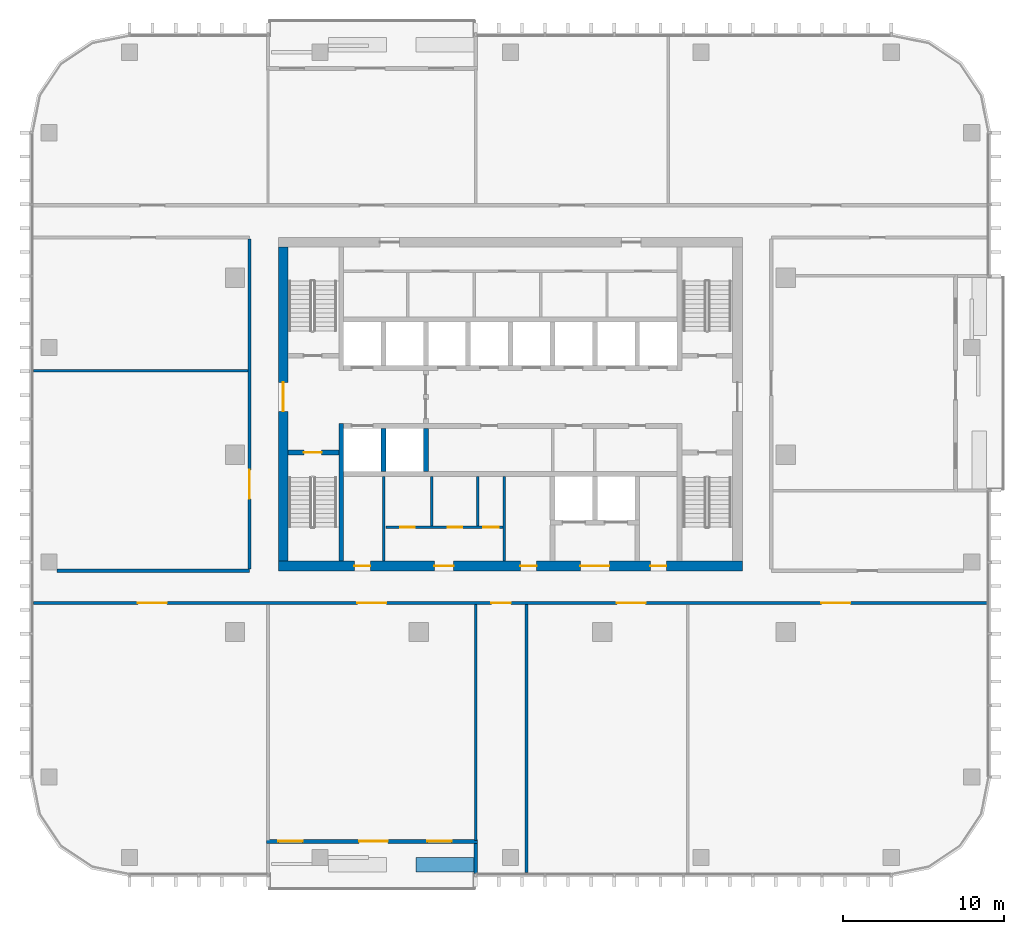
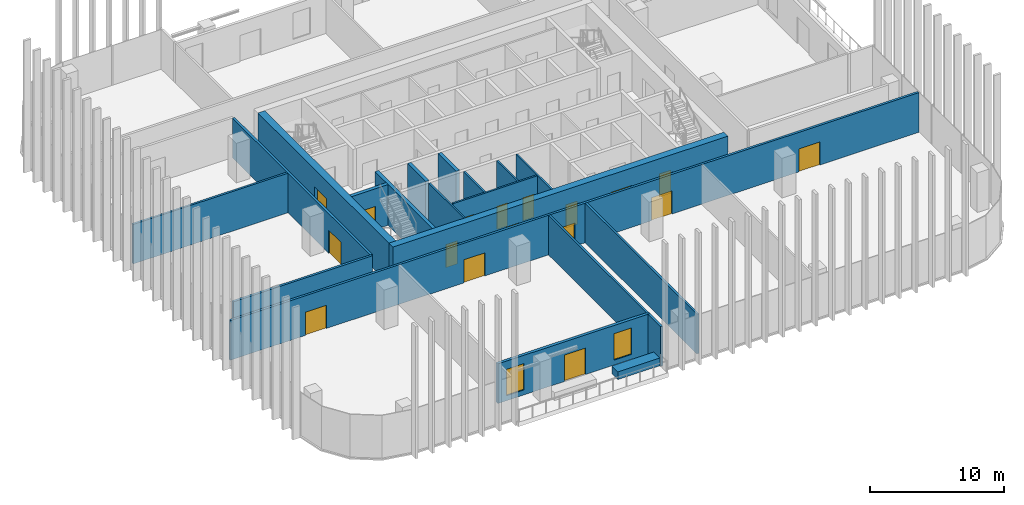
# One storey, part 7 of 16: 20 walls, 17 doors, 2 windows, 19 openings.
"""IFC4 building model written with IfcOpenShell, lengths in metres."""

import ifcopenshell
import ifcopenshell.guid

model = None  # the IFC model being written
_history = None  # IfcOwnerHistory: only IFC2X3 demands one
_inside = {}  # id of a spatial element -> (the spatial element, [elements in it])
_under = {}  # id of a project, library or spatial element -> (it, [spatial elements below it])
_declared = {}  # id of a project -> (the project, [libraries it declares])
_typed = {}  # id of a type object -> (the type object, [elements of that type])
_made_of = {}  # id of a material, layer set ... -> (it, [elements and type objects made of it])


def new_model(schema):
    """Start an empty IFC model of exactly this schema.

    Asked for "IFC4X3", IfcOpenShell would pick the latest addendum, in which some entities
    have other attributes; the version numbers below select the first issue.
    IFC2X3 requires an IfcOwnerHistory on every rooted entity: one is made here for all.
    """
    global model, _history
    if schema == "IFC4X3":
        model = ifcopenshell.file(schema_version=(4, 3, 0, 0))
    else:
        model = ifcopenshell.file(schema=schema)
    _inside.clear()
    _under.clear()
    _declared.clear()
    _typed.clear()
    _made_of.clear()
    _history = None
    if model.schema == "IFC2X3":
        org = make("IfcOrganization", Name="unknown")
        user = make(
            "IfcPersonAndOrganization",
            ThePerson=make("IfcPerson", FamilyName="unknown"),
            TheOrganization=org,
        )
        app = make(
            "IfcApplication",
            ApplicationDeveloper=org,
            Version="unknown",
            ApplicationFullName="unknown",
            ApplicationIdentifier="unknown",
        )
        _history = make(
            "IfcOwnerHistory",
            OwningUser=user,
            OwningApplication=app,
            ChangeAction="ADDED",
            CreationDate=0,
        )
    return model


def make(cls, **values):
    """One entity of the class cls with the attributes given. An attribute that is None is left unset."""
    return model.create_entity(
        cls, **{name: value for name, value in values.items() if value is not None}
    )


def rooted(cls, **values):
    """An entity with a GlobalId (a new one), such as an element, a storey or a relation."""
    return make(cls, GlobalId=ifcopenshell.guid.new(), OwnerHistory=_history, **values)


def si_unit(unit_type, name, prefix=None):
    """IfcSIUnit, for example si_unit("LENGTHUNIT", "METRE", prefix="MILLI")."""
    return make("IfcSIUnit", UnitType=unit_type, Prefix=prefix, Name=name)


def assignment(units):
    """IfcUnitAssignment: the units of a project."""
    return None if units is None else make("IfcUnitAssignment", Units=units)


def point(xyz):
    """IfcCartesianPoint."""
    return None if xyz is None else make("IfcCartesianPoint", Coordinates=xyz)


def direction(xyz):
    """IfcDirection."""
    return None if xyz is None else make("IfcDirection", DirectionRatios=xyz)


def frame(location, z_axis=None, x_axis=None):
    """IfcAxis2Placement3D, a coordinate frame: its origin and axes. An axis left out is left unset."""
    return make(
        "IfcAxis2Placement3D",
        Location=point(location),
        Axis=direction(z_axis),
        RefDirection=direction(x_axis),
    )


def frame_2d(location, x_axis=None):
    """IfcAxis2Placement2D, a coordinate frame in the plane: its origin and x axis."""
    return make(
        "IfcAxis2Placement2D", Location=point(location), RefDirection=direction(x_axis)
    )


def origin():
    """The frame at (0, 0, 0) with its axes left unset."""
    return frame((0.0, 0.0, 0.0))


def place(relative_to, where):
    """IfcLocalPlacement: puts the frame where relative to a parent placement (None: the world)."""
    return make(
        "IfcLocalPlacement", PlacementRelTo=relative_to, RelativePlacement=where
    )


def context(
    kind, dimensions, precision=None, world=None, true_north=None, identifier=None
):
    """IfcGeometricRepresentationContext, for example the 3D "Model" context."""
    return make(
        "IfcGeometricRepresentationContext",
        ContextIdentifier=identifier,
        ContextType=kind,
        CoordinateSpaceDimension=dimensions,
        Precision=precision,
        WorldCoordinateSystem=world,
        TrueNorth=true_north,
    )


def subcontext(parent, identifier, kind, view, scale=None):
    """IfcGeometricRepresentationSubContext, for example "Body" below "Model"."""
    return make(
        "IfcGeometricRepresentationSubContext",
        ContextIdentifier=identifier,
        ContextType=kind,
        ParentContext=parent,
        TargetScale=scale,
        TargetView=view,
    )


def project(units=None, contexts=None):
    """IfcProject with its units and contexts."""
    return rooted(
        "IfcProject",
        Name="project",
        RepresentationContexts=contexts,
        UnitsInContext=assignment(units),
    )


def spatial(cls, under=None, at=None, **own):
    """A site, building, storey or space (cls), placed at a placement, below another one or the project."""
    s = rooted(cls, ObjectPlacement=at, **own)
    if under is not None:
        _under.setdefault(under.id(), (under, []))[1].append(s)
    return s


def profile(cls, at=None, kind="AREA", **sizes):
    """A parametric profile (cls). Its sizes go by their IFC names, for example OverallWidth=200.0."""
    return make(cls, ProfileType=kind, Position=at, **sizes)


def rectangle(**sizes):
    """IfcRectangleProfileDef."""
    return profile("IfcRectangleProfileDef", **sizes)


def extrude(swept, where, along, depth):
    """IfcExtrudedAreaSolid: the profile swept, set in the frame where, extruded along a direction by depth."""
    return make(
        "IfcExtrudedAreaSolid",
        SweptArea=swept,
        Position=where,
        ExtrudedDirection=direction(along),
        Depth=depth,
    )


def shape(context_of_items, identifier, shape_type, items):
    """IfcShapeRepresentation: the items that make up one representation, for example the "Body"."""
    return make(
        "IfcShapeRepresentation",
        ContextOfItems=context_of_items,
        RepresentationIdentifier=identifier,
        RepresentationType=shape_type,
        Items=items,
    )


def material(Name=None, Category=None):
    """IfcMaterial."""
    return make("IfcMaterial", Name=Name, Category=Category)


def layer(
    of_material, thickness, ventilated=None, Name=None, Category=None, Priority=None
):
    """IfcMaterialLayer: one layer of a wall or slab, of a material (None: an air gap)."""
    return make(
        "IfcMaterialLayer",
        Material=of_material,
        LayerThickness=thickness,
        IsVentilated=ventilated,
        Name=Name,
        Category=Category,
        Priority=Priority,
    )


def layer_set(layers, Name=None):
    """IfcMaterialLayerSet."""
    return make("IfcMaterialLayerSet", MaterialLayers=layers, LayerSetName=Name)


def made_of(thing, what):
    """Note that an element or type object is made of a material, layer set ...; save() writes the relation."""
    if what is not None:
        _made_of.setdefault(what.id(), (what, []))[1].append(thing)
    return thing


def type_object(cls, material=None, **own):
    """A type object (cls), such as IfcWallType, which elements share."""
    return made_of(rooted(cls, **own), material)


def element(
    cls,
    number,
    at=None,
    inside=None,
    cuts=None,
    type_object=None,
    material=None,
    context=None,
    identifier="Body",
    shape_type=None,
    held_by="IfcProductDefinitionShape",
    body=None,
    shapes=None,
    **own,
):
    """One element of the class cls, such as IfcWall. Its Tag is "e" and its number.

    at: its placement. inside: the storey or other place that contains it. cuts: it is an
    opening in that element (IfcRelVoidsElement). A single representation is given by context,
    identifier, shape_type and body (its items); several are given by shapes. held_by: the class
    of the entity that holds the representations. save() writes the other relations.
    """
    e = rooted(cls, Tag="e%d" % number, ObjectPlacement=at, **own)
    if body is not None:
        shapes = [shape(context, identifier, shape_type, body)]
    if shapes is not None:
        e.Representation = make(held_by, Representations=shapes)
    if inside is not None:
        _inside.setdefault(inside.id(), (inside, []))[1].append(e)
    if cuts is not None:
        rooted(
            "IfcRelVoidsElement", RelatingBuildingElement=cuts, RelatedOpeningElement=e
        )
    if type_object is not None:
        _typed.setdefault(type_object.id(), (type_object, []))[1].append(e)
    return made_of(e, material)


def fill(opening, filler):
    """IfcRelFillsElement: the door or window that sits in an opening."""
    return rooted(
        "IfcRelFillsElement",
        RelatingOpeningElement=opening,
        RelatedBuildingElement=filler,
    )


def aggregate(whole, parts):
    """IfcRelAggregates: a whole, such as a stair, and the parts it consists of."""
    return rooted("IfcRelAggregates", RelatingObject=whole, RelatedObjects=parts)


def save(model, path):
    """Write the relations noted so far, then the file.

    IfcRelAggregates (storeys below a building ...), IfcRelContainedInSpatialStructure (elements
    in a storey), IfcRelDefinesByType, IfcRelAssociatesMaterial and IfcRelDeclares: one each for
    every whole, place, type object, material and project.
    """
    for whole, parts in _under.values():
        aggregate(whole, parts)
    for where, things in _inside.values():
        rooted(
            "IfcRelContainedInSpatialStructure",
            RelatedElements=things,
            RelatingStructure=where,
        )
    for kind, things in _typed.values():
        rooted("IfcRelDefinesByType", RelatedObjects=things, RelatingType=kind)
    for what, things in _made_of.values():
        rooted("IfcRelAssociatesMaterial", RelatedObjects=things, RelatingMaterial=what)
    for by, libraries in _declared.values():
        rooted("IfcRelDeclares", RelatingContext=by, RelatedDefinitions=libraries)
    model.write(path)


model = new_model("IFC4")

# Units and contexts
model_context = context("Model", 3, precision=1e-05, world=origin(), true_north=direction((0.0, 1.0)))
body_context = subcontext(model_context, "Body", "Model", "MODEL_VIEW")
ifc_project = project(units=[si_unit("LENGTHUNIT", "METRE"), si_unit("AREAUNIT", "SQUARE_METRE"), si_unit("VOLUMEUNIT", "CUBIC_METRE"), si_unit("PLANEANGLEUNIT", "RADIAN"), si_unit("MASSUNIT", "GRAM", prefix="KILO")], contexts=[model_context])

# Site, building, storey
site_placement = place(None, origin())
site = spatial("IfcSite", under=ifc_project, at=site_placement, CompositionType="ELEMENT")
building_placement = place(site_placement, origin())
building = spatial("IfcBuilding", under=site, at=building_placement, Name="Mopane Tessera Tower", CompositionType="ELEMENT")
storey_placement = place(building_placement, frame((0.0, 0.0, 291.39990234375)))
storey = spatial("IfcBuildingStorey", under=building, at=storey_placement, Name="L63", CompositionType="ELEMENT", Elevation=291.39990234375)

# Wall
ifc_material_1 = material(Name="Fire-rated gypsum board partition")
ifc_layer_1 = layer(ifc_material_1, 0.14990234375)
ifc_layer_set_1 = layer_set([ifc_layer_1], Name="Fire-rated gypsum board partition")
wall_type_1 = type_object("IfcWallType", Name="Core room partition 150 mm", PredefinedType="PARTITIONING", material=ifc_layer_set_1)
wall_1_placement = place(storey_placement, frame((-7.875, -6.60009765625, 0.0), z_axis=(0.0, 0.0, 1.0), x_axis=(0.0, 1.0, 0.0)))
element("IfcWall", 1, at=wall_1_placement, inside=storey, type_object=wall_type_1, Name="L63 Room partition", PredefinedType="PARTITIONING", context=body_context, shape_type="SweptSolid", body=[
    extrude(rectangle(XDim=5.25, YDim=0.14990234375, at=frame_2d((2.625, 0.0))), origin(), (0.0, 0.0, 1.0), 3.7001953125),
])

# Wall, openings, doors
wall_2_placement = place(storey_placement, frame((-7.72509765625, -4.5, 0.0), z_axis=(0.0, 0.0, 1.0), x_axis=(1.0, 0.0, 0.0)))
wall_2 = element("IfcWall", 2, at=wall_2_placement, inside=storey, type_object=wall_type_1, Name="L63 WC partition", PredefinedType="PARTITIONING", context=body_context, shape_type="SweptSolid", body=[
    extrude(rectangle(XDim=7.275146484375, YDim=0.14990234375, at=frame_2d((3.6376953125, 0.0))), origin(), (0.0, 0.0, 1.0), 3.7001953125),
])
opening_1_placement = place(wall_2_placement, frame((0.89990234375, 0.0, 0.0)))
opening_1 = element("IfcOpeningElement", 3, at=opening_1_placement, cuts=wall_2, Name="Opening WD1", PredefinedType="OPENING", context=body_context, shape_type="SweptSolid", body=[
    extrude(rectangle(XDim=0.89990234375, YDim=2.10009765625, at=frame_2d((0.449951171875, 1.050048828125))), frame((0.0, 0.0869140625, 0.0), z_axis=(0.0, -1.0, 0.0), x_axis=(1.0, 0.0, 0.0)), (0.0, 0.0, 1.0), 0.173828125),
])
opening_2_placement = place(wall_2_placement, frame((3.824951171875, 0.0, 0.0)))
opening_2 = element("IfcOpeningElement", 4, at=opening_2_placement, cuts=wall_2, Name="Opening WD1", PredefinedType="OPENING", context=body_context, shape_type="SweptSolid", body=[
    extrude(rectangle(XDim=0.89990234375, YDim=2.10009765625, at=frame_2d((0.449951171875, 1.050048828125))), frame((0.0, 0.0869140625, 0.0), z_axis=(0.0, -1.0, 0.0), x_axis=(1.0, 0.0, 0.0)), (0.0, 0.0, 1.0), 0.173828125),
])
opening_3_placement = place(wall_2_placement, frame((6.050048828125, 0.0, 0.0)))
opening_3 = element("IfcOpeningElement", 5, at=opening_3_placement, cuts=wall_2, Name="Opening WD2", PredefinedType="OPENING", context=body_context, shape_type="SweptSolid", body=[
    extrude(rectangle(XDim=0.949951171875, YDim=2.10009765625, at=frame_2d((0.47509765625, 1.050048828125))), frame((0.0, 0.0869140625, 0.0), z_axis=(0.0, -1.0, 0.0), x_axis=(1.0, 0.0, 0.0)), (0.0, 0.0, 1.0), 0.173828125),
])
ifc_material_2 = material(Name="Timber door", Category="wood")
door_type_1 = type_object("IfcDoorType", Name="Accessible WC door 950 x 2100", OperationType="SINGLE_SWING_LEFT", PredefinedType="DOOR", material=ifc_material_2)
door_1_placement = place(opening_3_placement, origin())
door_1 = element("IfcDoor", 6, at=door_1_placement, inside=storey, type_object=door_type_1, Name="L63 Accessible WC door", OperationType="SINGLE_SWING_LEFT", OverallHeight=2.10009765625, OverallWidth=0.949951171875, PredefinedType="DOOR", context=body_context, shape_type="SweptSolid", body=[
    extrude(rectangle(XDim=0.949951171875, YDim=2.10009765625, at=frame_2d((0.47509765625, 1.050048828125))), frame((0.0, 0.02490234375, 0.0), z_axis=(0.0, -1.0, 0.0), x_axis=(1.0, 0.0, 0.0)), (0.0, 0.0, 1.0), 0.050048828125),
])
fill(opening_3, door_1)
ifc_material_3 = material(Name="Timber door", Category="wood")
door_type_2 = type_object("IfcDoorType", Name="WC cubicle door 900 x 2100", OperationType="SINGLE_SWING_LEFT", PredefinedType="DOOR", material=ifc_material_3)
door_2_placement = place(opening_1_placement, origin())
door_2 = element("IfcDoor", 7, at=door_2_placement, inside=storey, type_object=door_type_2, Name="L63 Men's WC door", OperationType="SINGLE_SWING_LEFT", OverallHeight=2.10009765625, OverallWidth=0.89990234375, PredefinedType="DOOR", context=body_context, shape_type="SweptSolid", body=[
    extrude(rectangle(XDim=0.89990234375, YDim=2.10009765625, at=frame_2d((0.449951171875, 1.050048828125))), frame((0.0, 0.02490234375, 0.0), z_axis=(0.0, -1.0, 0.0), x_axis=(1.0, 0.0, 0.0)), (0.0, 0.0, 1.0), 0.050048828125),
])
fill(opening_1, door_2)
door_3_placement = place(opening_2_placement, origin())
door_3 = element("IfcDoor", 8, at=door_3_placement, inside=storey, type_object=door_type_2, Name="L63 Women's WC door", OperationType="SINGLE_SWING_LEFT", OverallHeight=2.10009765625, OverallWidth=0.89990234375, PredefinedType="DOOR", context=body_context, shape_type="SweptSolid", body=[
    extrude(rectangle(XDim=0.89990234375, YDim=2.10009765625, at=frame_2d((0.449951171875, 1.050048828125))), frame((0.0, 0.02490234375, 0.0), z_axis=(0.0, -1.0, 0.0), x_axis=(1.0, 0.0, 0.0)), (0.0, 0.0, 1.0), 0.050048828125),
])
fill(opening_2, door_3)

# Walls
for number, where, z_axis, x_axis, name in (
    (9, (-4.875, -4.425048828125, 0.0), (0.0, 0.0, 1.0), (0.0, 1.0, 0.0), "L63 WC partition"),
    (10, (-2.02490234375, -4.425048828125, 0.0), (0.0, 0.0, 1.0), (0.0, 1.0, 0.0), "L63 WC partition"),
):
    element("IfcWall", number, at=place(storey_placement, frame(where, z_axis=z_axis, x_axis=x_axis)), inside=storey, type_object=wall_type_1, Name=name, PredefinedType="PARTITIONING", context=body_context, shape_type="SweptSolid", body=[
        extrude(rectangle(XDim=3.074951171875, YDim=0.14990234375, at=frame_2d((1.53759765625, 0.0))), origin(), (0.0, 0.0, 1.0), 3.7001953125),
    ])
wall_3_placement = place(storey_placement, frame((-0.375, -6.60009765625, 0.0), z_axis=(0.0, 0.0, 1.0), x_axis=(0.0, 1.0, 0.0)))
element("IfcWall", 11, at=wall_3_placement, inside=storey, type_object=wall_type_1, Name="L63 Room partition", PredefinedType="PARTITIONING", context=body_context, shape_type="SweptSolid", body=[
    extrude(rectangle(XDim=5.25, YDim=0.14990234375, at=frame_2d((2.625, 0.0))), origin(), (0.0, 0.0, 1.0), 3.7001953125),
])

# Wall, openings, doors
ifc_material_4 = material(Name="Concrete C70/85", Category="concrete")
ifc_layer_2 = layer(ifc_material_4, 0.60009765625)
ifc_layer_set_2 = layer_set([ifc_layer_2], Name="Concrete C70/85")
wall_type_2 = type_object("IfcWallType", Name="Core shear wall 600 mm", PredefinedType="SHEAR", material=ifc_layer_set_2)
wall_4_placement = place(storey_placement, frame((-14.39990234375, -6.89990234375, 0.0), z_axis=(0.0, 0.0, 1.0), x_axis=(1.0, 0.0, 0.0)))
wall_4 = element("IfcWall", 12, at=wall_4_placement, inside=storey, type_object=wall_type_2, Name="L63 Core wall south", PredefinedType="SHEAR", context=body_context, shape_type="SweptSolid", body=[
    extrude(rectangle(XDim=28.7998046875, YDim=0.60009765625, at=frame_2d((14.39990234375, 0.0))), origin(), (0.0, 0.0, 1.0), 3.7001953125),
])
opening_4_placement = place(wall_4_placement, frame((4.71240234375, 0.0, 0.0)))
opening_4 = element("IfcOpeningElement", 13, at=opening_4_placement, cuts=wall_4, Name="Opening RD1", PredefinedType="OPENING", context=body_context, shape_type="SweptSolid", body=[
    extrude(rectangle(XDim=1.0, YDim=2.10009765625, at=frame_2d((0.5, 1.050048828125))), frame((0.0, 0.31201171875, 0.0), z_axis=(0.0, -1.0, 0.0), x_axis=(1.0, 0.0, 0.0)), (0.0, 0.0, 1.0), 0.6240234375),
])
opening_5_placement = place(wall_4_placement, frame((9.675048828125, 0.0, 0.0)))
opening_5 = element("IfcOpeningElement", 14, at=opening_5_placement, cuts=wall_4, Name="Opening WD3", PredefinedType="OPENING", context=body_context, shape_type="SweptSolid", body=[
    extrude(rectangle(XDim=1.199951171875, YDim=2.10009765625, at=frame_2d((0.60009765625, 1.050048828125))), frame((0.0, 0.31201171875, 0.0), z_axis=(0.0, -1.0, 0.0), x_axis=(1.0, 0.0, 0.0)), (0.0, 0.0, 1.0), 0.6240234375),
])
opening_6_placement = place(wall_4_placement, frame((15.02490234375, 0.0, 0.0)))
opening_6 = element("IfcOpeningElement", 15, at=opening_6_placement, cuts=wall_4, Name="Opening RD1", PredefinedType="OPENING", context=body_context, shape_type="SweptSolid", body=[
    extrude(rectangle(XDim=1.0, YDim=2.10009765625, at=frame_2d((0.5, 1.050048828125))), frame((0.0, 0.31201171875, 0.0), z_axis=(0.0, -1.0, 0.0), x_axis=(1.0, 0.0, 0.0)), (0.0, 0.0, 1.0), 0.6240234375),
])
opening_7_placement = place(wall_4_placement, frame((18.75, 0.0, 0.0)))
opening_7 = element("IfcOpeningElement", 16, at=opening_7_placement, cuts=wall_4, Name="Opening SD2", PredefinedType="OPENING", context=body_context, shape_type="SweptSolid", body=[
    extrude(rectangle(XDim=1.800048828125, YDim=2.10009765625, at=frame_2d((0.89990234375, 1.050048828125))), frame((0.0, 0.31201171875, 0.0), z_axis=(0.0, -1.0, 0.0), x_axis=(1.0, 0.0, 0.0)), (0.0, 0.0, 1.0), 0.6240234375),
])
opening_8_placement = place(wall_4_placement, frame((23.08740234375, 0.0, 0.0)))
opening_8 = element("IfcOpeningElement", 17, at=opening_8_placement, cuts=wall_4, Name="Opening RD1", PredefinedType="OPENING", context=body_context, shape_type="SweptSolid", body=[
    extrude(rectangle(XDim=1.0, YDim=2.10009765625, at=frame_2d((0.5, 1.050048828125))), frame((0.0, 0.31201171875, 0.0), z_axis=(0.0, -1.0, 0.0), x_axis=(1.0, 0.0, 0.0)), (0.0, 0.0, 1.0), 0.6240234375),
])
ifc_material_5 = material(Name="Steel fire door", Category="steel")
door_type_3 = type_object("IfcDoorType", Name="Core entrance double door 1800 x 2100", OperationType="DOUBLE_DOOR_SINGLE_SWING", PredefinedType="DOOR", material=ifc_material_5)
door_4_placement = place(opening_7_placement, origin())
door_4 = element("IfcDoor", 18, at=door_4_placement, inside=storey, type_object=door_type_3, Name="L63 Service lobby door", OperationType="DOUBLE_DOOR_SINGLE_SWING", OverallHeight=2.10009765625, OverallWidth=1.800048828125, PredefinedType="DOOR", context=body_context, shape_type="SweptSolid", body=[
    extrude(rectangle(XDim=1.800048828125, YDim=2.10009765625, at=frame_2d((0.89990234375, 1.050048828125))), frame((0.0, 0.02490234375, 0.0), z_axis=(0.0, -1.0, 0.0), x_axis=(1.0, 0.0, 0.0)), (0.0, 0.0, 1.0), 0.050048828125),
])
fill(opening_7, door_4)
ifc_material_6 = material(Name="Timber door", Category="wood")
door_type_4 = type_object("IfcDoorType", Name="Core room door 1000 x 2100", OperationType="SINGLE_SWING_LEFT", PredefinedType="DOOR", material=ifc_material_6)
door_5_placement = place(opening_4_placement, origin())
door_5 = element("IfcDoor", 19, at=door_5_placement, inside=storey, type_object=door_type_4, Name="L63 Room door", OperationType="SINGLE_SWING_LEFT", OverallHeight=2.10009765625, OverallWidth=1.0, PredefinedType="DOOR", context=body_context, shape_type="SweptSolid", body=[
    extrude(rectangle(XDim=1.0, YDim=2.10009765625, at=frame_2d((0.5, 1.050048828125))), frame((0.0, 0.02490234375, 0.0), z_axis=(0.0, -1.0, 0.0), x_axis=(1.0, 0.0, 0.0)), (0.0, 0.0, 1.0), 0.050048828125),
])
fill(opening_4, door_5)
door_6_placement = place(opening_6_placement, origin())
door_6 = element("IfcDoor", 20, at=door_6_placement, inside=storey, type_object=door_type_4, Name="L63 Room door", OperationType="SINGLE_SWING_LEFT", OverallHeight=2.10009765625, OverallWidth=1.0, PredefinedType="DOOR", context=body_context, shape_type="SweptSolid", body=[
    extrude(rectangle(XDim=1.0, YDim=2.10009765625, at=frame_2d((0.5, 1.050048828125))), frame((0.0, 0.02490234375, 0.0), z_axis=(0.0, -1.0, 0.0), x_axis=(1.0, 0.0, 0.0)), (0.0, 0.0, 1.0), 0.050048828125),
])
fill(opening_6, door_6)
door_7_placement = place(opening_8_placement, origin())
door_7 = element("IfcDoor", 21, at=door_7_placement, inside=storey, type_object=door_type_4, Name="L63 Room door", OperationType="SINGLE_SWING_LEFT", OverallHeight=2.10009765625, OverallWidth=1.0, PredefinedType="DOOR", context=body_context, shape_type="SweptSolid", body=[
    extrude(rectangle(XDim=1.0, YDim=2.10009765625, at=frame_2d((0.5, 1.050048828125))), frame((0.0, 0.02490234375, 0.0), z_axis=(0.0, -1.0, 0.0), x_axis=(1.0, 0.0, 0.0)), (0.0, 0.0, 1.0), 0.050048828125),
])
fill(opening_8, door_7)
ifc_material_7 = material(Name="Timber door", Category="wood")
door_type_5 = type_object("IfcDoorType", Name="WC lobby door 1200 x 2100", OperationType="SINGLE_SWING_LEFT", PredefinedType="DOOR", material=ifc_material_7)
door_8_placement = place(opening_5_placement, origin())
door_8 = element("IfcDoor", 22, at=door_8_placement, inside=storey, type_object=door_type_5, Name="L63 WC lobby door", OperationType="SINGLE_SWING_LEFT", OverallHeight=2.10009765625, OverallWidth=1.199951171875, PredefinedType="DOOR", context=body_context, shape_type="SweptSolid", body=[
    extrude(rectangle(XDim=1.199951171875, YDim=2.10009765625, at=frame_2d((0.60009765625, 1.050048828125))), frame((0.0, 0.02490234375, 0.0), z_axis=(0.0, -1.0, 0.0), x_axis=(1.0, 0.0, 0.0)), (0.0, 0.0, 1.0), 0.050048828125),
])
fill(opening_5, door_8)

# Wall, opening, door
wall_5_placement = place(storey_placement, frame((-14.10009765625, -6.60009765625, 0.0), z_axis=(0.0, 0.0, 1.0), x_axis=(0.0, 1.0, 0.0)))
wall_5 = element("IfcWall", 23, at=wall_5_placement, inside=storey, type_object=wall_type_2, Name="L63 Core wall west", PredefinedType="SHEAR", context=body_context, shape_type="SweptSolid", body=[
    extrude(rectangle(XDim=19.5, YDim=0.60009765625, at=frame_2d((9.75, 0.0))), origin(), (0.0, 0.0, 1.0), 3.7001953125),
])
opening_9_placement = place(wall_5_placement, frame((9.300048828125, 0.0, 0.0)))
opening_9 = element("IfcOpeningElement", 24, at=opening_9_placement, cuts=wall_5, Name="Opening SD2", PredefinedType="OPENING", context=body_context, shape_type="SweptSolid", body=[
    extrude(rectangle(XDim=1.800048828125, YDim=2.10009765625, at=frame_2d((0.89990234375, 1.050048828125))), frame((0.0, 0.31201171875, 0.0), z_axis=(0.0, -1.0, 0.0), x_axis=(1.0, 0.0, 0.0)), (0.0, 0.0, 1.0), 0.6240234375),
])
door_9_placement = place(opening_9_placement, origin())
door_9 = element("IfcDoor", 25, at=door_9_placement, inside=storey, type_object=door_type_3, Name="L63 Core entrance door west", OperationType="DOUBLE_DOOR_SINGLE_SWING", OverallHeight=2.10009765625, OverallWidth=1.800048828125, PredefinedType="DOOR", context=body_context, shape_type="SweptSolid", body=[
    extrude(rectangle(XDim=1.800048828125, YDim=2.10009765625, at=frame_2d((0.89990234375, 1.050048828125))), frame((0.0, 0.02490234375, 0.0), z_axis=(0.0, -1.0, 0.0), x_axis=(1.0, 0.0, 0.0)), (0.0, 0.0, 1.0), 0.050048828125),
])
fill(opening_9, door_9)

# Walls
ifc_material_8 = material(Name="Concrete C60/75", Category="concrete")
ifc_layer_3 = layer(ifc_material_8, 0.300048828125)
ifc_layer_set_3 = layer_set([ifc_layer_3], Name="Concrete C60/75")
wall_type_3 = type_object("IfcWallType", Name="Core spine wall 300 mm", PredefinedType="SHEAR", material=ifc_layer_set_3)
wall_6_placement = place(storey_placement, frame((-10.5, -6.60009765625, 0.0), z_axis=(0.0, 0.0, 1.0), x_axis=(0.0, 1.0, 0.0)))
element("IfcWall", 26, at=wall_6_placement, inside=storey, type_object=wall_type_3, Name="L63 Core spine wall", PredefinedType="SHEAR", context=body_context, shape_type="SweptSolid", body=[
    extrude(rectangle(XDim=8.550048828125, YDim=0.300048828125, at=frame_2d((4.27490234375, 0.0))), origin(), (0.0, 0.0, 1.0), 3.7001953125),
])
ifc_material_9 = material(Name="Gypsum board on staggered steel studs, double layer each face, acoustic mineral wool infill", Category="steel")
ifc_layer_4 = layer(ifc_material_9, 0.175048828125)
ifc_layer_set_4 = layer_set([ifc_layer_4], Name="Gypsum board on staggered steel studs, double layer each face, acoustic mineral wool infill")
wall_type_4 = type_object("IfcWallType", Name="Gypsum board acoustic partition 175, rated EI 60", PredefinedType="PARTITIONING", material=ifc_layer_set_4)
wall_7_placement = place(storey_placement, frame((-29.60009765625, 5.219970703125, 0.0), z_axis=(0.0, 0.0, 1.0), x_axis=(1.0, 0.0, 0.0)))
element("IfcWall", 27, at=wall_7_placement, inside=storey, type_object=wall_type_4, Name="Partition L63:004", PredefinedType="PARTITIONING", context=body_context, shape_type="SweptSolid", body=[
    extrude(rectangle(XDim=13.300048828125, YDim=0.175048828125, at=frame_2d((6.64990234375, 0.0))), origin(), (0.0, 0.0, 1.0), 3.60009765625),
])
wall_8_placement = place(storey_placement, frame((-2.14990234375, -23.949951171875, 0.0), z_axis=(0.0, 0.0, 1.0), x_axis=(0.0, 1.0, 0.0)))
element("IfcWall", 28, at=wall_8_placement, inside=storey, type_object=wall_type_4, Name="Partition L63:013", PredefinedType="PARTITIONING", context=body_context, shape_type="SweptSolid", body=[
    extrude(rectangle(XDim=14.64990234375, YDim=0.175048828125, at=frame_2d((7.324951171875, 0.0))), origin(), (0.0, 0.0, 1.0), 3.60009765625),
])
wall_9_placement = place(storey_placement, frame((1.0, -25.949951171875, 0.0), z_axis=(0.0, 0.0, 1.0), x_axis=(0.0, 1.0, 0.0)))
element("IfcWall", 29, at=wall_9_placement, inside=storey, type_object=wall_type_4, Name="Partition L63:014", PredefinedType="PARTITIONING", context=body_context, shape_type="SweptSolid", body=[
    extrude(rectangle(XDim=16.64990234375, YDim=0.175048828125, at=frame_2d((8.324951171875, 0.0))), origin(), (0.0, 0.0, 1.0), 3.60009765625),
])

# Wall, openings, doors
ifc_material_10 = material(Name="Gypsum board on steel studs, two layers each face, mineral wool infill", Category="steel")
ifc_layer_5 = layer(ifc_material_10, 0.199951171875)
ifc_layer_set_5 = layer_set([ifc_layer_5], Name="Gypsum board on steel studs, two layers each face, mineral wool infill")
wall_type_5 = type_object("IfcWallType", Name="Gypsum board corridor wall 200, rated EI 60", PredefinedType="PARTITIONING", material=ifc_layer_set_5)
wall_10_placement = place(storey_placement, frame((-29.60009765625, -9.199951171875, 0.0), z_axis=(0.0, 0.0, 1.0), x_axis=(1.0, 0.0, 0.0)))
wall_10 = element("IfcWall", 30, at=wall_10_placement, inside=storey, type_object=wall_type_5, Name="Partition L63:000", PredefinedType="PARTITIONING", context=body_context, shape_type="SweptSolid", body=[
    extrude(rectangle(XDim=59.2001953125, YDim=0.199951171875, at=frame_2d((29.60009765625, 0.0))), origin(), (0.0, 0.0, 1.0), 3.60009765625),
])
opening_10_placement = place(wall_10_placement, frame((48.905029296875, 0.0, 0.0)))
opening_10 = element("IfcOpeningElement", 31, at=opening_10_placement, cuts=wall_10, Name="Opening L63-04", PredefinedType="OPENING", context=body_context, shape_type="SweptSolid", body=[
    extrude(rectangle(XDim=1.800048828125, YDim=2.10009765625, at=frame_2d((0.89990234375, 1.050048828125))), frame((0.0, 0.112060546875, 0.0), z_axis=(0.0, -1.0, 0.0), x_axis=(1.0, 0.0, 0.0)), (0.0, 0.0, 1.0), 0.223876953125),
])
opening_11_placement = place(wall_10_placement, frame((36.205078125, 0.0, 0.0)))
opening_11 = element("IfcOpeningElement", 32, at=opening_11_placement, cuts=wall_10, Name="Opening L63-07", PredefinedType="OPENING", context=body_context, shape_type="SweptSolid", body=[
    extrude(rectangle(XDim=1.800048828125, YDim=2.10009765625, at=frame_2d((0.89990234375, 1.050048828125))), frame((0.0, 0.112060546875, 0.0), z_axis=(0.0, -1.0, 0.0), x_axis=(1.0, 0.0, 0.0)), (0.0, 0.0, 1.0), 0.223876953125),
])
opening_12_placement = place(wall_10_placement, frame((20.10009765625, 0.0, 0.0)))
opening_12 = element("IfcOpeningElement", 33, at=opening_12_placement, cuts=wall_10, Name="Opening L63-09", PredefinedType="OPENING", context=body_context, shape_type="SweptSolid", body=[
    extrude(rectangle(XDim=1.800048828125, YDim=2.10009765625, at=frame_2d((0.89990234375, 1.050048828125))), frame((0.0, 0.112060546875, 0.0), z_axis=(0.0, -1.0, 0.0), x_axis=(1.0, 0.0, 0.0)), (0.0, 0.0, 1.0), 0.223876953125),
])
opening_13_placement = place(wall_10_placement, frame((6.47509765625, 0.0, 0.0)))
opening_13 = element("IfcOpeningElement", 34, at=opening_13_placement, cuts=wall_10, Name="Opening L63-13", PredefinedType="OPENING", context=body_context, shape_type="SweptSolid", body=[
    extrude(rectangle(XDim=1.800048828125, YDim=2.10009765625, at=frame_2d((0.89990234375, 1.050048828125))), frame((0.0, 0.112060546875, 0.0), z_axis=(0.0, -1.0, 0.0), x_axis=(1.0, 0.0, 0.0)), (0.0, 0.0, 1.0), 0.223876953125),
])
opening_14_placement = place(wall_10_placement, frame((28.425048828125, 0.0, 0.0)))
opening_14 = element("IfcOpeningElement", 35, at=opening_14_placement, cuts=wall_10, Name="Opening L63-14", PredefinedType="OPENING", context=body_context, shape_type="SweptSolid", body=[
    extrude(rectangle(XDim=1.199951171875, YDim=2.10009765625, at=frame_2d((0.60009765625, 1.050048828125))), frame((0.0, 0.112060546875, 0.0), z_axis=(0.0, -1.0, 0.0), x_axis=(1.0, 0.0, 0.0)), (0.0, 0.0, 1.0), 0.223876953125),
])
ifc_material_11 = material(Name="Timber veneered steel-framed fire door", Category="steel")
door_type_6 = type_object("IfcDoorType", Name="Fire door FD60 1200 x 2100", OperationType="SINGLE_SWING_LEFT", PredefinedType="DOOR", material=ifc_material_11)
door_10_placement = place(opening_14_placement, origin())
door_10 = element("IfcDoor", 36, at=door_10_placement, inside=storey, type_object=door_type_6, Name="Door L63-14", ObjectType="D15A", OperationType="SINGLE_SWING_RIGHT", OverallHeight=2.10009765625, OverallWidth=1.199951171875, PredefinedType="DOOR", context=body_context, shape_type="SweptSolid", body=[
    extrude(rectangle(XDim=1.199951171875, YDim=2.10009765625, at=frame_2d((0.60009765625, 1.050048828125))), frame((0.0, 0.02490234375, 0.0), z_axis=(0.0, -1.0, 0.0), x_axis=(1.0, 0.0, 0.0)), (0.0, 0.0, 1.0), 0.050048828125),
])
fill(opening_14, door_10)
ifc_material_12 = material(Name="Timber veneered steel-framed fire door", Category="steel")
door_type_7 = type_object("IfcDoorType", Name="Fire door pair FD60 1800 x 2100", OperationType="DOUBLE_DOOR_SINGLE_SWING", PredefinedType="DOOR", material=ifc_material_12)
door_11_placement = place(opening_10_placement, origin())
door_11 = element("IfcDoor", 37, at=door_11_placement, inside=storey, type_object=door_type_7, Name="Door L63-04", ObjectType="D20A", OperationType="DOUBLE_DOOR_SINGLE_SWING", OverallHeight=2.10009765625, OverallWidth=1.800048828125, PredefinedType="DOOR", context=body_context, shape_type="SweptSolid", body=[
    extrude(rectangle(XDim=1.800048828125, YDim=2.10009765625, at=frame_2d((0.89990234375, 1.050048828125))), frame((0.0, 0.02490234375, 0.0), z_axis=(0.0, -1.0, 0.0), x_axis=(1.0, 0.0, 0.0)), (0.0, 0.0, 1.0), 0.050048828125),
])
fill(opening_10, door_11)
door_12_placement = place(opening_11_placement, origin())
door_12 = element("IfcDoor", 38, at=door_12_placement, inside=storey, type_object=door_type_7, Name="Door L63-07", ObjectType="D20A", OperationType="DOUBLE_DOOR_SINGLE_SWING", OverallHeight=2.10009765625, OverallWidth=1.800048828125, PredefinedType="DOOR", context=body_context, shape_type="SweptSolid", body=[
    extrude(rectangle(XDim=1.800048828125, YDim=2.10009765625, at=frame_2d((0.89990234375, 1.050048828125))), frame((0.0, 0.02490234375, 0.0), z_axis=(0.0, -1.0, 0.0), x_axis=(1.0, 0.0, 0.0)), (0.0, 0.0, 1.0), 0.050048828125),
])
fill(opening_11, door_12)
door_13_placement = place(opening_12_placement, origin())
door_13 = element("IfcDoor", 39, at=door_13_placement, inside=storey, type_object=door_type_7, Name="Door L63-09", ObjectType="D20A", OperationType="DOUBLE_DOOR_SINGLE_SWING", OverallHeight=2.10009765625, OverallWidth=1.800048828125, PredefinedType="DOOR", context=body_context, shape_type="SweptSolid", body=[
    extrude(rectangle(XDim=1.800048828125, YDim=2.10009765625, at=frame_2d((0.89990234375, 1.050048828125))), frame((0.0, 0.02490234375, 0.0), z_axis=(0.0, -1.0, 0.0), x_axis=(1.0, 0.0, 0.0)), (0.0, 0.0, 1.0), 0.050048828125),
])
fill(opening_12, door_13)
door_14_placement = place(opening_13_placement, origin())
door_14 = element("IfcDoor", 40, at=door_14_placement, inside=storey, type_object=door_type_7, Name="Door L63-13", ObjectType="D20A", OperationType="DOUBLE_DOOR_SINGLE_SWING", OverallHeight=2.10009765625, OverallWidth=1.800048828125, PredefinedType="DOOR", context=body_context, shape_type="SweptSolid", body=[
    extrude(rectangle(XDim=1.800048828125, YDim=2.10009765625, at=frame_2d((0.89990234375, 1.050048828125))), frame((0.0, 0.02490234375, 0.0), z_axis=(0.0, -1.0, 0.0), x_axis=(1.0, 0.0, 0.0)), (0.0, 0.0, 1.0), 0.050048828125),
])
fill(opening_13, door_14)

# Wall
wall_11_placement = place(storey_placement, frame((-28.14990234375, -7.199951171875, 0.0), z_axis=(0.0, 0.0, 1.0), x_axis=(1.0, 0.0, 0.0)))
element("IfcWall", 41, at=wall_11_placement, inside=storey, type_object=wall_type_5, Name="Partition L63:001", PredefinedType="PARTITIONING", context=body_context, shape_type="SweptSolid", body=[
    extrude(rectangle(XDim=11.949951171875, YDim=0.199951171875, at=frame_2d((5.97509765625, 0.0))), origin(), (0.0, 0.0, 1.0), 3.60009765625),
])

# Wall, opening, door
wall_12_placement = place(storey_placement, frame((-16.199951171875, -7.10009765625, 0.0), z_axis=(0.0, 0.0, 1.0), x_axis=(0.0, 1.0, 0.0)))
wall_12 = element("IfcWall", 42, at=wall_12_placement, inside=storey, type_object=wall_type_5, Name="Partition L63:009", PredefinedType="PARTITIONING", context=body_context, shape_type="SweptSolid", body=[
    extrude(rectangle(XDim=20.5, YDim=0.199951171875, at=frame_2d((10.25, 0.0))), origin(), (0.0, 0.0, 1.0), 3.60009765625),
])
opening_15_placement = place(wall_12_placement, frame((4.360107421875, 0.0, 0.0)))
opening_15 = element("IfcOpeningElement", 43, at=opening_15_placement, cuts=wall_12, Name="Opening L63-12", PredefinedType="OPENING", context=body_context, shape_type="SweptSolid", body=[
    extrude(rectangle(XDim=1.800048828125, YDim=2.10009765625, at=frame_2d((0.89990234375, 1.050048828125))), frame((0.0, 0.112060546875, 0.0), z_axis=(0.0, -1.0, 0.0), x_axis=(1.0, 0.0, 0.0)), (0.0, 0.0, 1.0), 0.223876953125),
])
door_15_placement = place(opening_15_placement, origin())
door_15 = element("IfcDoor", 44, at=door_15_placement, inside=storey, type_object=door_type_7, Name="Door L63-12", ObjectType="D20A", OperationType="DOUBLE_DOOR_SINGLE_SWING", OverallHeight=2.10009765625, OverallWidth=1.800048828125, PredefinedType="DOOR", context=body_context, shape_type="SweptSolid", body=[
    extrude(rectangle(XDim=1.800048828125, YDim=2.10009765625, at=frame_2d((0.89990234375, 1.050048828125))), frame((0.0, 0.02490234375, 0.0), z_axis=(0.0, -1.0, 0.0), x_axis=(1.0, 0.0, 0.0)), (0.0, 0.0, 1.0), 0.050048828125),
])
fill(opening_15, door_15)

ifc_material_13 = material(Name="Concrete C50/60", Category="concrete")
ifc_layer_6 = layer(ifc_material_13, 0.300048828125)
ifc_layer_set_6 = layer_set([ifc_layer_6], Name="Concrete C50/60")
wall_type_6 = type_object("IfcWallType", Name="Lift and stair shaft wall 300 mm", PredefinedType="SOLIDWALL", material=ifc_layer_set_6)
wall_13_placement = place(storey_placement, frame((-13.800048828125, 0.14990234375, 0.0), z_axis=(0.0, 0.0, 1.0), x_axis=(1.0, 0.0, 0.0)))
wall_13 = element("IfcWall", 45, at=wall_13_placement, inside=storey, type_object=wall_type_6, Name="L63 Stair enclosure wall", PredefinedType="SOLIDWALL", context=body_context, shape_type="SweptSolid", body=[
    extrude(rectangle(XDim=3.150146484375, YDim=0.300048828125, at=frame_2d((1.5751953125, 0.0))), origin(), (0.0, 0.0, 1.0), 3.7001953125),
])
opening_16_placement = place(wall_13_placement, frame((0.97509765625, 0.0, 0.0)))
opening_16 = element("IfcOpeningElement", 46, at=opening_16_placement, cuts=wall_13, Name="Opening SD1", PredefinedType="OPENING", context=body_context, shape_type="SweptSolid", body=[
    extrude(rectangle(XDim=1.10009765625, YDim=2.10009765625, at=frame_2d((0.550048828125, 1.050048828125))), frame((0.0, 0.162109375, 0.0), z_axis=(0.0, -1.0, 0.0), x_axis=(1.0, 0.0, 0.0)), (0.0, 0.0, 1.0), 0.323974609375),
])
ifc_material_14 = material(Name="Steel fire door", Category="steel")
door_type_8 = type_object("IfcDoorType", Name="Stair fire door 1100 x 2100", OperationType="SINGLE_SWING_LEFT", PredefinedType="DOOR", material=ifc_material_14)
door_16_placement = place(opening_16_placement, origin())
door_16 = element("IfcDoor", 47, at=door_16_placement, inside=storey, type_object=door_type_8, Name="L63 Stair door ST1", OperationType="SINGLE_SWING_LEFT", OverallHeight=2.10009765625, OverallWidth=1.10009765625, PredefinedType="DOOR", context=body_context, shape_type="SweptSolid", body=[
    extrude(rectangle(XDim=1.10009765625, YDim=2.10009765625, at=frame_2d((0.550048828125, 1.050048828125))), frame((0.0, 0.02490234375, 0.0), z_axis=(0.0, -1.0, 0.0), x_axis=(1.0, 0.0, 0.0)), (0.0, 0.0, 1.0), 0.050048828125),
])
fill(opening_16, door_16)

# Walls
for number, where, z_axis, x_axis, name in (
    (48, (-7.875, -1.050048828125, 0.0), (0.0, 0.0, 1.0), (0.0, 1.0, 0.0), "L63 Lift shaft wall"),
    (49, (-5.25, -1.050048828125, 0.0), (0.0, 0.0, 1.0), (0.0, 1.0, 0.0), "L63 Lift shaft wall"),
):
    element("IfcWall", number, at=place(storey_placement, frame(where, z_axis=z_axis, x_axis=x_axis)), inside=storey, type_object=wall_type_6, Name=name, PredefinedType="SOLIDWALL", context=body_context, shape_type="SweptSolid", body=[
        extrude(rectangle(XDim=2.699951171875, YDim=0.300048828125, at=frame_2d((1.35009765625, 0.0))), origin(), (0.0, 0.0, 1.0), 3.7001953125),
    ])
ifc_material_15 = material(Name="Reinforced concrete C32/40 with waterproofing", Category="concrete")
ifc_layer_7 = layer(ifc_material_15, 0.89990234375)
ifc_layer_set_7 = layer_set([ifc_layer_7], Name="Reinforced concrete C32/40 with waterproofing")
wall_type_7 = type_object("IfcWallType", Name="Planter trough 3600 x 900", PredefinedType="STANDARD", material=ifc_layer_set_7)
wall_14_placement = place(storey_placement, frame((-5.85009765625, -25.449951171875, 0.0), z_axis=(0.0, 0.0, 1.0), x_axis=(1.0, 0.0, 0.0)))
element("IfcWall", 50, at=wall_14_placement, inside=storey, type_object=wall_type_7, Name="e:nw:L63:N3:pl1", PredefinedType="STANDARD", context=body_context, shape_type="SweptSolid", body=[
    extrude(rectangle(XDim=3.60009765625, YDim=0.89990234375, at=frame_2d((1.800048828125, 0.0))), origin(), (0.0, 0.0, 1.0), 0.7001953125),
])
ifc_material_16 = material(Name="Blockwork with glazed tile facing", Category="masonry")
ifc_layer_8 = layer(ifc_material_16, 0.199951171875)
ifc_layer_set_8 = layer_set([ifc_layer_8], Name="Blockwork with glazed tile facing")
wall_type_8 = type_object("IfcWallType", Name="Terrace cheek wall 200", PredefinedType="STANDARD", material=ifc_layer_set_8)
wall_15_placement = place(storey_placement, frame((-2.14990234375, -26.0, 0.0), z_axis=(0.0, 0.0, 1.0), x_axis=(0.0, 1.0, 0.0)))
element("IfcWall", 51, at=wall_15_placement, inside=storey, type_object=wall_type_8, Name="e:nw:L63:N3:cheekb", PredefinedType="STANDARD", context=body_context, shape_type="SweptSolid", body=[
    extrude(rectangle(XDim=1.875, YDim=0.199951171875, at=frame_2d((0.9375, 0.0))), origin(), (0.0, 0.0, 1.0), 3.60009765625),
])

# Wall, openings, windows, door
ifc_material_17 = material(Name="Blockwork with ultramarine glazed tile facing", Category="masonry")
ifc_layer_9 = layer(ifc_material_17, 0.25)
ifc_layer_set_9 = layer_set([ifc_layer_9], Name="Blockwork with ultramarine glazed tile facing")
wall_type_9 = type_object("IfcWallType", Name="Tile-clad external wall 250, ultramarine", PredefinedType="STANDARD", material=ifc_layer_set_9)
wall_16_placement = place(storey_placement, frame((-15.14990234375, -24.0, 0.0), z_axis=(0.0, 0.0, 1.0), x_axis=(1.0, 0.0, 0.0)))
wall_16 = element("IfcWall", 52, at=wall_16_placement, inside=storey, type_object=wall_type_9, Name="e:nw:L63:N3:back", PredefinedType="STANDARD", context=body_context, shape_type="SweptSolid", body=[
    extrude(rectangle(XDim=13.099853515625, YDim=0.25, at=frame_2d((6.5498046875, 0.0))), origin(), (0.0, 0.0, 1.0), 3.60009765625),
])
opening_17_placement = place(wall_16_placement, frame((0.75, 0.0, 0.449951171875)))
opening_17 = element("IfcOpeningElement", 53, at=opening_17_placement, cuts=wall_16, Name="Opening NW633A", PredefinedType="OPENING", context=body_context, shape_type="SweptSolid", body=[
    extrude(rectangle(XDim=1.5, YDim=2.39990234375, at=frame_2d((0.75, 1.199951171875))), frame((0.0, 0.136962890625, 0.0), z_axis=(0.0, -1.0, 0.0), x_axis=(1.0, 0.0, 0.0)), (0.0, 0.0, 1.0), 0.27392578125),
])
opening_18_placement = place(wall_16_placement, frame((5.75, 0.0, 0.0)))
opening_18 = element("IfcOpeningElement", 54, at=opening_18_placement, cuts=wall_16, Name="Opening ND633", PredefinedType="OPENING", context=body_context, shape_type="SweptSolid", body=[
    extrude(rectangle(XDim=1.800048828125, YDim=2.39990234375, at=frame_2d((0.89990234375, 1.199951171875))), frame((0.0, 0.136962890625, 0.0), z_axis=(0.0, -1.0, 0.0), x_axis=(1.0, 0.0, 0.0)), (0.0, 0.0, 1.0), 0.27392578125),
])
opening_19_placement = place(wall_16_placement, frame((10.0, 0.0, 0.449951171875)))
opening_19 = element("IfcOpeningElement", 55, at=opening_19_placement, cuts=wall_16, Name="Opening NW633B", PredefinedType="OPENING", context=body_context, shape_type="SweptSolid", body=[
    extrude(rectangle(XDim=1.5, YDim=2.39990234375, at=frame_2d((0.75, 1.199951171875))), frame((0.0, 0.136962890625, 0.0), z_axis=(0.0, -1.0, 0.0), x_axis=(1.0, 0.0, 0.0)), (0.0, 0.0, 1.0), 0.27392578125),
])
ifc_material_18 = material(Name="Clear laminated glass", Category="glass")
window_type = type_object("IfcWindowType", Name="Fixed window 1500 x 2400", PartitioningType="SINGLE_PANEL", PredefinedType="WINDOW", material=ifc_material_18)
window_1_placement = place(opening_17_placement, origin())
window_1 = element("IfcWindow", 56, at=window_1_placement, inside=storey, type_object=window_type, Name="e:nw:L63:N3:win0", OverallHeight=2.39990234375, OverallWidth=1.5, PartitioningType="SINGLE_PANEL", PredefinedType="WINDOW", context=body_context, shape_type="SweptSolid", body=[
    extrude(rectangle(XDim=1.5, YDim=2.39990234375, at=frame_2d((0.75, 1.199951171875))), frame((0.0, 0.030029296875, 0.0), z_axis=(0.0, -1.0, 0.0), x_axis=(1.0, 0.0, 0.0)), (0.0, 0.0, 1.0), 0.06005859375),
])
fill(opening_17, window_1)
window_2_placement = place(opening_19_placement, origin())
window_2 = element("IfcWindow", 57, at=window_2_placement, inside=storey, type_object=window_type, Name="e:nw:L63:N3:win2", OverallHeight=2.39990234375, OverallWidth=1.5, PartitioningType="SINGLE_PANEL", PredefinedType="WINDOW", context=body_context, shape_type="SweptSolid", body=[
    extrude(rectangle(XDim=1.5, YDim=2.39990234375, at=frame_2d((0.75, 1.199951171875))), frame((0.0, 0.030029296875, 0.0), z_axis=(0.0, -1.0, 0.0), x_axis=(1.0, 0.0, 0.0)), (0.0, 0.0, 1.0), 0.06005859375),
])
fill(opening_19, window_2)
ifc_material_19 = material(Name="Aluminium and clear glass", Category="aluminium")
door_type_9 = type_object("IfcDoorType", Name="Terrace double door 1800 x 2400", OperationType="DOUBLE_DOOR_SINGLE_SWING", PredefinedType="DOOR", material=ifc_material_19)
door_17_placement = place(opening_18_placement, origin())
door_17 = element("IfcDoor", 58, at=door_17_placement, inside=storey, type_object=door_type_9, Name="e:nw:L63:N3:door", ObjectType="D1", OperationType="DOUBLE_DOOR_SINGLE_SWING", OverallHeight=2.39990234375, OverallWidth=1.800048828125, PredefinedType="DOOR", context=body_context, shape_type="SweptSolid", body=[
    extrude(rectangle(XDim=1.800048828125, YDim=2.39990234375, at=frame_2d((0.89990234375, 1.199951171875))), frame((0.0, 0.02490234375, 0.0), z_axis=(0.0, -1.0, 0.0), x_axis=(1.0, 0.0, 0.0)), (0.0, 0.0, 1.0), 0.050048828125),
])
fill(opening_18, door_17)

save(model, "model.ifc")
